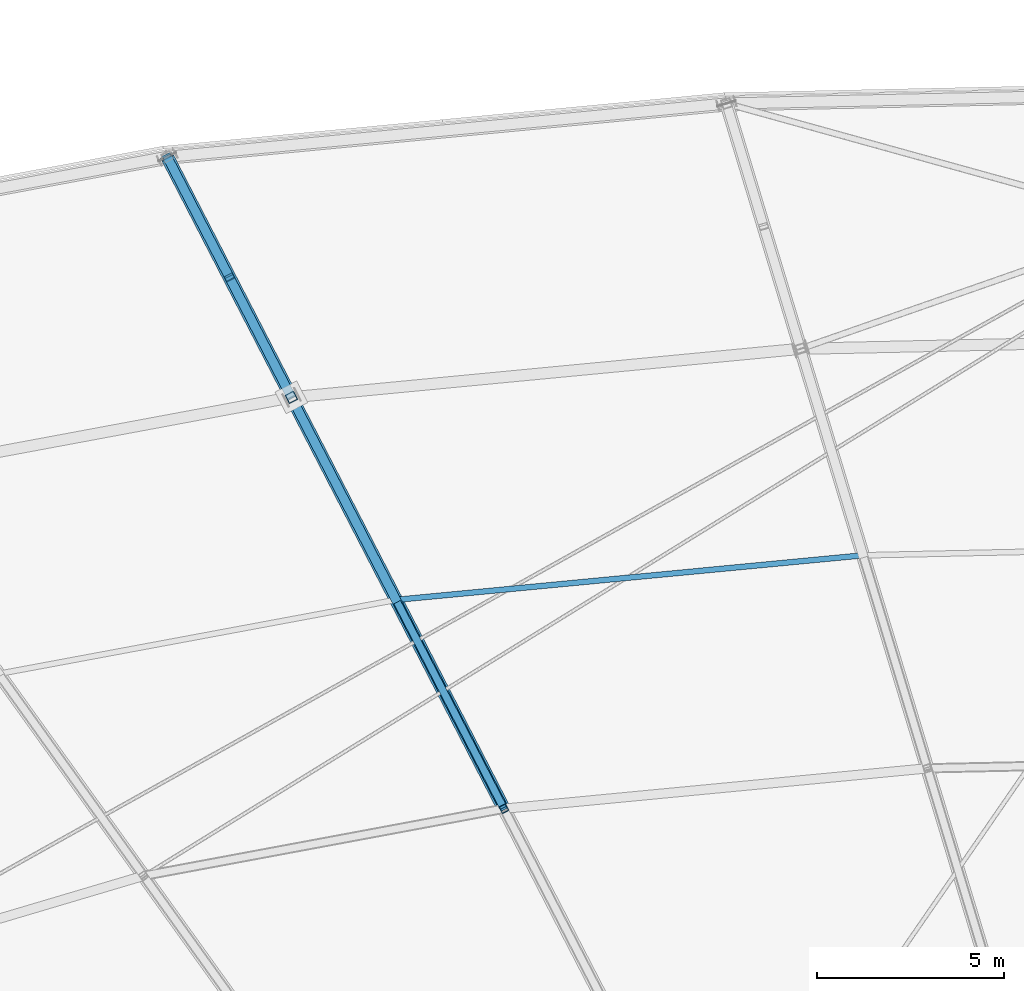
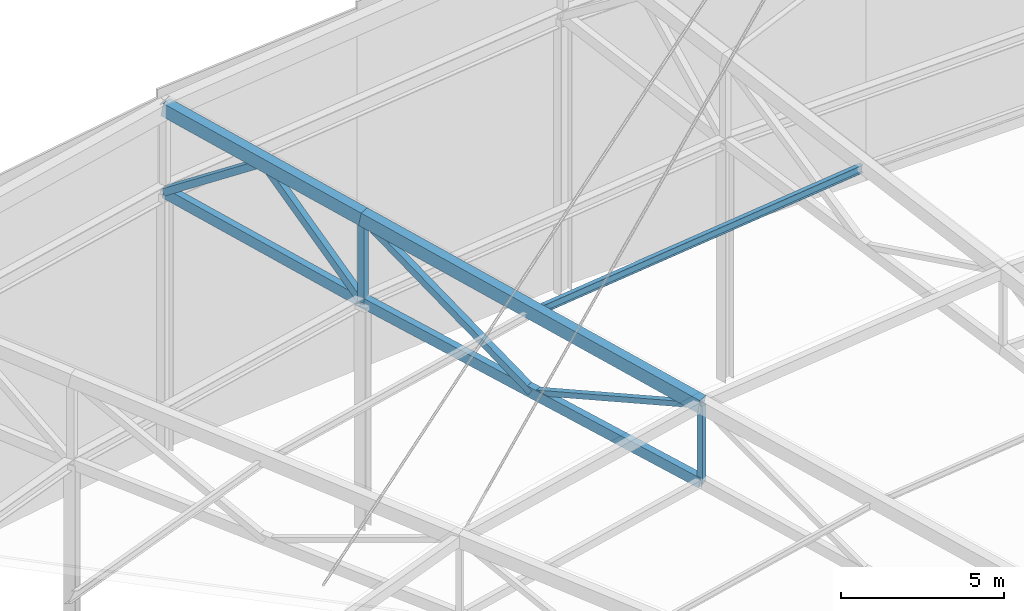
# One storey, part 89 of 143: 7 members, 4 beams.
"""IFC4 building model written with IfcOpenShell, lengths in metres."""

from ifc_helpers import new_model, si_unit, direction, frame, origin, origin_2d, place, context, subcontext, project, spatial, hollow_rectangle, i_section, extrude, material, material_profile, profile_set, type_object, element, save


model = new_model("IFC4")

# Units and contexts
model_context = context("Model", 3, precision=1e-05, world=origin(), true_north=direction((0.0, 1.0)))
body_context = subcontext(model_context, "Body", "Model", "MODEL_VIEW")
ifc_project = project(units=[si_unit("LENGTHUNIT", "METRE"), si_unit("AREAUNIT", "SQUARE_METRE"), si_unit("VOLUMEUNIT", "CUBIC_METRE"), si_unit("PLANEANGLEUNIT", "RADIAN"), si_unit("MASSUNIT", "GRAM", prefix="KILO")], contexts=[model_context])

# Site, building, storey
site_placement = place(None, origin())
site = spatial("IfcSite", under=ifc_project, at=site_placement, CompositionType="ELEMENT")
building_placement = place(site_placement, origin())
building = spatial("IfcBuilding", under=site, at=building_placement, Name="Mphavela Belvedere Stadium", CompositionType="ELEMENT")
storey_placement = place(building_placement, frame((0.0, 0.0, 28.800048828125)))
storey = spatial("IfcBuildingStorey", under=building, at=storey_placement, Name="RF", CompositionType="ELEMENT", Elevation=28.800048828125)

# Beams
ifc_material_1 = material(Name="Steel S355", Category="steel")
ifc_material_profile_1 = material_profile(ifc_material_1, hollow_rectangle(XDim=0.25, YDim=0.39990234375, WallThickness=0.01611328125, at=origin_2d()), Name="RHS 400x250x16")
ifc_profile_set_1 = profile_set([ifc_material_profile_1], Name="Steel S355")
beam_type_1 = type_object("IfcBeamType", Name="BM-TRUSS-BC2", PredefinedType="BEAM", material=ifc_profile_set_1)
beam_1_placement = place(storey_placement, frame((77.92724609375, 158.767333984375, 9.867919921875), z_axis=(0.450806584804, -0.872694501922, -0.187557269686), x_axis=(0.888461432436, 0.458951286165, 0.0)))
element("IfcBeam", 1, at=beam_1_placement, inside=storey, type_object=beam_type_1, Name="Radial roof truss RT-15 bottom chord 1", PredefinedType="BEAM", context=body_context, shape_type="SweptSolid", body=[
    extrude(hollow_rectangle(XDim=0.25, YDim=0.39990234375, WallThickness=0.01611328125, at=origin_2d()), origin(), (0.0, 0.0, 1.0), 7.3701171875),
])
beam_2_placement = place(storey_placement, frame((81.249755859375, 152.33544921875, 8.485595703125), z_axis=(0.452410073989, -0.875785367681, -0.168300667586), x_axis=(0.888458600926, 0.458956767507, 0.0)))
element("IfcBeam", 2, at=beam_2_placement, inside=storey, type_object=beam_type_1, Name="Radial roof truss RT-15 bottom chord 2", PredefinedType="BEAM", context=body_context, shape_type="SweptSolid", body=[
    extrude(hollow_rectangle(XDim=0.25, YDim=0.39990234375, WallThickness=0.01611328125, at=origin_2d()), origin(), (0.0, 0.0, 1.0), 12.5625),
])
ifc_material_2 = material(Name="Steel S355", Category="steel")
ifc_material_profile_2 = material_profile(ifc_material_2, hollow_rectangle(XDim=0.35009765625, YDim=0.5, WallThickness=0.02001953125, at=origin_2d()), Name="RHS 500x350x20")
ifc_profile_set_2 = profile_set([ifc_material_profile_2], Name="Steel S355")
beam_type_2 = type_object("IfcBeamType", Name="BM-TRUSS-TC2", PredefinedType="BEAM", material=ifc_profile_set_2)
beam_3_placement = place(storey_placement, frame((77.92724609375, 158.767333984375, 13.017822265625), z_axis=(0.450809385422, -0.872699923502, -0.187525309051), x_axis=(0.888461432436, 0.458951286165, 0.0)))
element("IfcBeam", 3, at=beam_3_placement, inside=storey, type_object=beam_type_2, Name="Radial roof truss RT-15 top chord 1", PredefinedType="BEAM", context=body_context, shape_type="SweptSolid", body=[
    extrude(hollow_rectangle(XDim=0.35009765625, YDim=0.5, WallThickness=0.02001953125, at=origin_2d()), origin(), (0.0, 0.0, 1.0), 7.3701171875),
])
beam_4_placement = place(storey_placement, frame((81.249755859375, 152.33544921875, 11.6357421875), z_axis=(0.450812084238, -0.872691943989, -0.187555953256), x_axis=(0.888458600926, 0.458956767507, 0.0)))
element("IfcBeam", 4, at=beam_4_placement, inside=storey, type_object=beam_type_2, Name="Radial roof truss RT-15 top chord 2", PredefinedType="BEAM", context=body_context, shape_type="SweptSolid", body=[
    extrude(hollow_rectangle(XDim=0.35009765625, YDim=0.5, WallThickness=0.02001953125, at=origin_2d()), origin(), (0.0, 0.0, 1.0), 12.60693359375),
])

# Members
ifc_material_3 = material(Name="Steel S355", Category="steel")
ifc_material_profile_3 = material_profile(ifc_material_3, hollow_rectangle(XDim=0.199951171875, YDim=0.199951171875, WallThickness=0.010009765625, at=origin_2d()), Name="SHS 200x200x10")
ifc_profile_set_3 = profile_set([ifc_material_profile_3], Name="Steel S355")
member_type_1 = type_object("IfcMemberType", Name="MEM-POST-SHS200", PredefinedType="POST", material=ifc_profile_set_3)
member_1_placement = place(storey_placement, frame((86.93310546875, 141.33349609375, 6.371337890625), z_axis=(0.0, 0.0, 1.0), x_axis=(-0.458959712465, 0.888457079624, 0.0)))
element("IfcMember", 5, at=member_1_placement, inside=storey, type_object=member_type_1, Name="Radial roof truss RT-15 post P3", PredefinedType="POST", context=body_context, shape_type="SweptSolid", body=[
    extrude(hollow_rectangle(XDim=0.199951171875, YDim=0.199951171875, WallThickness=0.010009765625, at=origin_2d()), origin(), (0.0, 0.0, 1.0), 2.89990234375),
])
member_2_placement = place(storey_placement, frame((84.09130859375, 146.83447265625, 7.428466796875), z_axis=(0.439902596761, -0.851536538679, 0.285256426147), x_axis=(0.888450561596, 0.458972329885, 0.0)))
element("IfcMember", 6, at=member_2_placement, inside=storey, type_object=member_type_1, Name="Radial roof truss RT-15 web diagonal D4", PredefinedType="POST", context=body_context, shape_type="SweptSolid", body=[
    extrude(hollow_rectangle(XDim=0.199951171875, YDim=0.199951171875, WallThickness=0.010009765625, at=origin_2d()), origin(), (0.0, 0.0, 1.0), 6.4599609375),
])
ifc_material_4 = material(Name="Steel S355", Category="steel")
ifc_material_profile_4 = material_profile(ifc_material_4, hollow_rectangle(XDim=0.25, YDim=0.25, WallThickness=0.012451171875, at=origin_2d()), Name="SHS 250x250x12.5")
ifc_profile_set_4 = profile_set([ifc_material_profile_4], Name="Steel S355")
member_type_2 = type_object("IfcMemberType", Name="MEM-POST-SHS250", PredefinedType="POST", material=ifc_profile_set_4)
member_3_placement = place(storey_placement, frame((81.249755859375, 152.33544921875, 8.485595703125), z_axis=(0.0, 0.0, 1.0), x_axis=(-0.458959712465, 0.888457079624, 0.0)))
element("IfcMember", 7, at=member_3_placement, inside=storey, type_object=member_type_2, Name="Radial roof truss RT-15 post P2", PredefinedType="POST", context=body_context, shape_type="SweptSolid", body=[
    extrude(hollow_rectangle(XDim=0.25, YDim=0.25, WallThickness=0.012451171875, at=origin_2d()), origin(), (0.0, 0.0, 1.0), 3.150146484375),
])
member_4_placement = place(storey_placement, frame((77.92724609375, 158.767333984375, 9.867919921875), z_axis=(0.379631562425, -0.734936352185, 0.561914971368), x_axis=(0.888468080483, 0.458938416308, 0.0)))
element("IfcMember", 8, at=member_4_placement, inside=storey, type_object=member_type_2, Name="Radial roof truss RT-15 web diagonal D1", PredefinedType="POST", context=body_context, shape_type="SweptSolid", body=[
    extrude(hollow_rectangle(XDim=0.25, YDim=0.25, WallThickness=0.012451171875, at=origin_2d()), origin(), (0.0, 0.0, 1.0), 4.375732421875),
])
member_5_placement = place(storey_placement, frame((79.58837890625, 155.551513671875, 12.32666015625), z_axis=(0.314775449626, -0.609336810862, -0.727753438495), x_axis=(0.888454784808, 0.458964154757, 0.0)))
element("IfcMember", 9, at=member_5_placement, inside=storey, type_object=member_type_2, Name="Radial roof truss RT-15 web diagonal D2", PredefinedType="POST", context=body_context, shape_type="SweptSolid", body=[
    extrude(hollow_rectangle(XDim=0.25, YDim=0.25, WallThickness=0.012451171875, at=origin_2d()), origin(), (0.0, 0.0, 1.0), 5.278076171875),
])
member_6_placement = place(storey_placement, frame((81.249755859375, 152.33544921875, 11.6357421875), z_axis=(0.379595340709, -0.734860573662, -0.562038534791), x_axis=(0.888466640129, 0.458941204707, 0.0)))
element("IfcMember", 10, at=member_6_placement, inside=storey, type_object=member_type_2, Name="Radial roof truss RT-15 web diagonal D3", PredefinedType="POST", context=body_context, shape_type="SweptSolid", body=[
    extrude(hollow_rectangle(XDim=0.25, YDim=0.25, WallThickness=0.012451171875, at=origin_2d()), origin(), (0.0, 0.0, 1.0), 7.48583984375),
])
ifc_material_5 = material(Name="Steel S355", Category="steel")
ifc_material_profile_5 = material_profile(ifc_material_5, i_section(OverallWidth=0.14990234375, OverallDepth=0.300048828125, WebThickness=0.007080078125, FlangeThickness=0.0107421875, at=origin_2d()), Name="IPE 300")
ifc_profile_set_5 = profile_set([ifc_material_profile_5], Name="Steel S355")
member_type_3 = type_object("IfcMemberType", Name="MEM-PURLIN-IPE300", PredefinedType="PURLIN", material=ifc_profile_set_5)
member_7_placement = place(storey_placement, frame((96.536376953125, 148.10986328125, 10.681884765625), z_axis=(-0.994978106936, -0.09488022844, -0.031879601151), x_axis=(0.094928479035, -0.995484095236, 0.0)))
element("IfcMember", 11, at=member_7_placement, inside=storey, type_object=member_type_3, Name="Saddle canopy steel purlin 14-2", PredefinedType="PURLIN", context=body_context, shape_type="SweptSolid", body=[
    extrude(i_section(OverallWidth=0.14990234375, OverallDepth=0.300048828125, WebThickness=0.007080078125, FlangeThickness=0.0107421875, at=origin_2d()), origin(), (0.0, 0.0, 1.0), 12.5517578125),
])

save(model, "model.ifc")
